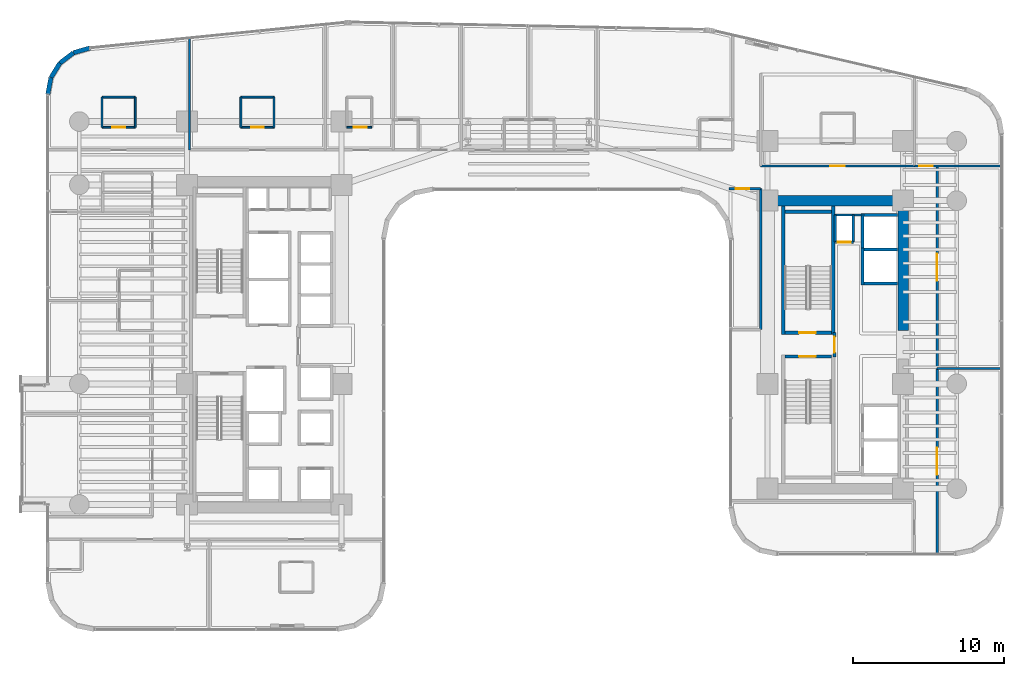
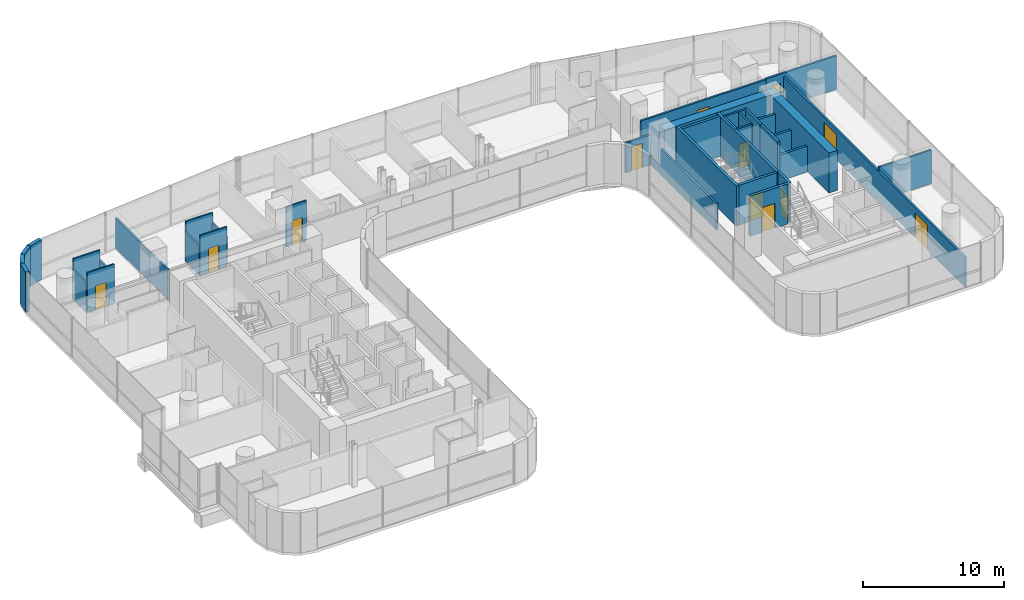
# One storey, part 33 of 40: 37 walls, 12 doors, 12 openings.
"""IFC4 building model written with IfcOpenShell, lengths in metres."""

from ifc_helpers import new_model, si_unit, direction, frame, frame_2d, origin, place, context, subcontext, project, spatial, rectangle, extrude, material, layer, layer_set, type_object, element, fill, save


model = new_model("IFC4")

# Units and contexts
model_context = context("Model", 3, precision=1e-05, world=origin(), true_north=direction((0.0, 1.0)))
body_context = subcontext(model_context, "Body", "Model", "MODEL_VIEW")
ifc_project = project(units=[si_unit("LENGTHUNIT", "METRE"), si_unit("AREAUNIT", "SQUARE_METRE"), si_unit("VOLUMEUNIT", "CUBIC_METRE"), si_unit("PLANEANGLEUNIT", "RADIAN"), si_unit("MASSUNIT", "GRAM", prefix="KILO")], contexts=[model_context])

# Site, building, storey
site_placement = place(None, origin())
site = spatial("IfcSite", under=ifc_project, at=site_placement, CompositionType="ELEMENT")
building_placement = place(site_placement, origin())
building = spatial("IfcBuilding", under=site, at=building_placement, Name="Valdorenza Pilgrim Sanctuary Tower", CompositionType="ELEMENT")
storey_placement = place(building_placement, frame((0.0, 0.0, 92.60009765625)))
storey = spatial("IfcBuildingStorey", under=building, at=storey_placement, Name="L23", CompositionType="ELEMENT", Elevation=92.60009765625)

# Wall, opening, door
ifc_material_1 = material(Name="Acoustic twin-stud gypsum partition", Category="gypsum")
ifc_layer_1 = layer(ifc_material_1, 0.159912109375, Name="Acoustic twin-stud gypsum partition")
ifc_layer_set_1 = layer_set([ifc_layer_1], Name="Acoustic twin-stud gypsum partition")
wall_type_1 = type_object("IfcWallType", Name="WAL-COR-160", PredefinedType="PARTITIONING", material=ifc_layer_set_1)
wall_1_placement = place(storey_placement, frame((20.35009765625, 6.800048828125, 0.0), z_axis=(0.0, 0.0, 1.0), x_axis=(1.0, 0.0, 0.0)))
wall_1 = element("IfcWall", 1, at=wall_1_placement, inside=storey, type_object=wall_type_1, Name="L23 Core B Riser South Wall", PredefinedType="PARTITIONING", context=body_context, shape_type="SweptSolid", body=[
    extrude(rectangle(XDim=1.199951171875, YDim=0.159912109375, at=frame_2d((0.60009765625, 0.0))), origin(), (0.0, 0.0, 1.0), 3.4599609375),
])
opening_1_placement = place(wall_1_placement, frame((0.175048828125, 0.0, 0.0)))
opening_1 = element("IfcOpeningElement", 2, at=opening_1_placement, cuts=wall_1, Name="Opening DR-RS1", PredefinedType="OPENING", context=body_context, shape_type="SweptSolid", body=[
    extrude(rectangle(XDim=0.85009765625, YDim=2.050048828125, at=frame_2d((0.425048828125, 1.02490234375))), frame((0.0, 0.0947265625, 0.0), z_axis=(0.0, -1.0, 0.0), x_axis=(1.0, 0.0, 0.0)), (0.0, 0.0, 1.0), 0.189697265625),
])
ifc_material_2 = material(Name="Painted galvanized steel", Category="steel")
door_type_1 = type_object("IfcDoorType", Name="DR-RSR-850", OperationType="NOTDEFINED", PredefinedType="DOOR", material=ifc_material_2)
door_1_placement = place(opening_1_placement, origin())
door_1 = element("IfcDoor", 3, at=door_1_placement, inside=storey, type_object=door_type_1, Name="L23 Core B Electrical Riser Door", OperationType="SINGLE_SWING_RIGHT", OverallHeight=2.050048828125, OverallWidth=0.85009765625, PredefinedType="DOOR", context=body_context, shape_type="SweptSolid", body=[
    extrude(rectangle(XDim=0.85009765625, YDim=2.050048828125, at=frame_2d((0.425048828125, 1.02490234375))), frame((0.0, 0.02490234375, 0.0), z_axis=(0.0, -1.0, 0.0), x_axis=(1.0, 0.0, 0.0)), (0.0, 0.0, 1.0), 0.050048828125),
])
fill(opening_1, door_1)

# Walls
for number, where, z_axis, x_axis, name in (
    (4, (21.550048828125, 6.800048828125, 0.0), (0.0, 0.0, 1.0), (0.0, 1.0, 0.0), "L23 Core B Riser East Wall"),
    (5, (20.35009765625, 6.800048828125, 0.0), (0.0, 0.0, 1.0), (0.0, 1.0, 0.0), "L23 Core B Riser West Wall"),
):
    element("IfcWall", number, at=place(storey_placement, frame(where, z_axis=z_axis, x_axis=x_axis)), inside=storey, type_object=wall_type_1, Name=name, PredefinedType="PARTITIONING", context=body_context, shape_type="SweptSolid", body=[
        extrude(rectangle(XDim=1.800048828125, YDim=0.159912109375, at=frame_2d((0.89990234375, 0.0))), origin(), (0.0, 0.0, 1.0), 3.4599609375),
    ])
wall_2_placement = place(storey_placement, frame((20.300048828125, 8.60009765625, 0.0), z_axis=(0.0, 0.0, 1.0), x_axis=(1.0, 0.0, 0.0)))
element("IfcWall", 6, at=wall_2_placement, inside=storey, type_object=wall_type_1, Name="L23 Core B Lift Hall North End Wall", PredefinedType="PARTITIONING", context=body_context, shape_type="SweptSolid", body=[
    extrude(rectangle(XDim=1.820068359375, YDim=0.159912109375, at=frame_2d((0.91015625, 0.0))), origin(), (0.0, 0.0, 1.0), 3.4599609375),
])

# Wall, opening, door
wall_3_placement = place(storey_placement, frame((15.39990234375, 11.85009765625, 0.0), z_axis=(0.0, 0.0, 1.0), x_axis=(1.0, 0.0, 0.0)))
wall_3 = element("IfcWall", 7, at=wall_3_placement, inside=storey, type_object=wall_type_1, Name="L23 Wing B North Corridor Wall", PredefinedType="PARTITIONING", context=body_context, shape_type="SweptSolid", body=[
    extrude(rectangle(XDim=10.2001953125, YDim=0.159912109375, at=frame_2d((5.10009765625, 0.0))), origin(), (0.0, 0.0, 1.0), 2.833984375),
])
opening_2_placement = place(wall_3_placement, frame((4.625, 0.0, 0.0)))
opening_2 = element("IfcOpeningElement", 8, at=opening_2_placement, cuts=wall_3, Name="Opening DR-UN1", PredefinedType="OPENING", context=body_context, shape_type="SweptSolid", body=[
    extrude(rectangle(XDim=0.949951171875, YDim=2.14990234375, at=frame_2d((0.47509765625, 1.074951171875))), frame((0.0, 0.0947265625, 0.0), z_axis=(0.0, -1.0, 0.0), x_axis=(1.0, 0.0, 0.0)), (0.0, 0.0, 1.0), 0.189697265625),
])
ifc_material_3 = material(Name="Solid-core European oak timber", Category="wood")
door_type_2 = type_object("IfcDoorType", Name="DR-UNIT-950", OperationType="NOTDEFINED", PredefinedType="DOOR", material=ifc_material_3)
door_2_placement = place(opening_2_placement, frame((0.949951171875, 0.0, 0.0), z_axis=(0.0, 0.0, 1.0), x_axis=(-1.0, 0.0, 0.0)))
door_2 = element("IfcDoor", 9, at=door_2_placement, inside=storey, type_object=door_type_2, Name="L23 East North Guest Room L23-EN1 Entrance Door", OperationType="SINGLE_SWING_LEFT", OverallHeight=2.14990234375, OverallWidth=0.949951171875, PredefinedType="DOOR", context=body_context, shape_type="SweptSolid", body=[
    extrude(rectangle(XDim=0.949951171875, YDim=2.14990234375, at=frame_2d((0.47509765625, 1.074951171875))), frame((0.0, 0.02490234375, 0.0), z_axis=(0.0, -1.0, 0.0), x_axis=(1.0, 0.0, 0.0)), (0.0, 0.0, 1.0), 0.050048828125),
])
fill(opening_2, door_2)

# Wall, openings, doors
wall_4_placement = place(storey_placement, frame((27.10009765625, -13.889892578125, 0.0), z_axis=(0.0, 0.0, 1.0), x_axis=(0.0, 1.0, 0.0)))
wall_4 = element("IfcWall", 10, at=wall_4_placement, inside=storey, type_object=wall_type_1, Name="L23 Wing B East Corridor Wall", PredefinedType="PARTITIONING", context=body_context, shape_type="SweptSolid", body=[
    extrude(rectangle(XDim=25.739990234375, YDim=0.159912109375, at=frame_2d((12.8701171875, 0.0))), origin(), (0.0, 0.0, 1.0), 2.5830078125),
])
opening_3_placement = place(wall_4_placement, frame((5.258056640625, 0.0, 0.0)))
opening_3 = element("IfcOpeningElement", 11, at=opening_3_placement, cuts=wall_4, Name="Opening DR-HL1", PredefinedType="OPENING", context=body_context, shape_type="SweptSolid", body=[
    extrude(rectangle(XDim=1.800048828125, YDim=2.14990234375, at=frame_2d((0.89990234375, 1.074951171875))), frame((0.0, 0.0947265625, 0.0), z_axis=(0.0, -1.0, 0.0), x_axis=(1.0, 0.0, 0.0)), (0.0, 0.0, 1.0), 0.189697265625),
])
opening_4_placement = place(wall_4_placement, frame((18.1279296875, 0.0, 0.0)))
opening_4 = element("IfcOpeningElement", 12, at=opening_4_placement, cuts=wall_4, Name="Opening DR-HL1", PredefinedType="OPENING", context=body_context, shape_type="SweptSolid", body=[
    extrude(rectangle(XDim=1.800048828125, YDim=2.14990234375, at=frame_2d((0.89990234375, 1.074951171875))), frame((0.0, 0.0947265625, 0.0), z_axis=(0.0, -1.0, 0.0), x_axis=(1.0, 0.0, 0.0)), (0.0, 0.0, 1.0), 0.189697265625),
])
ifc_material_4 = material(Name="Acoustic oak and vision-glass double door", Category="glass")
door_type_3 = type_object("IfcDoorType", Name="DR-HALL-1800", OperationType="NOTDEFINED", PredefinedType="DOOR", material=ifc_material_4)
door_3_placement = place(opening_3_placement, frame((1.800048828125, 0.0, 0.0), z_axis=(0.0, 0.0, 1.0), x_axis=(-1.0, 0.0, 0.0)))
door_3 = element("IfcDoor", 13, at=door_3_placement, inside=storey, type_object=door_type_3, Name="L23 Theological Seminar Classroom L23-EB1 Door", OperationType="DOUBLE_DOOR_SINGLE_SWING", OverallHeight=2.14990234375, OverallWidth=1.800048828125, PredefinedType="DOOR", context=body_context, shape_type="SweptSolid", body=[
    extrude(rectangle(XDim=1.800048828125, YDim=2.14990234375, at=frame_2d((0.89990234375, 1.074951171875))), frame((0.0, 0.02490234375, 0.0), z_axis=(0.0, -1.0, 0.0), x_axis=(1.0, 0.0, 0.0)), (0.0, 0.0, 1.0), 0.050048828125),
])
fill(opening_3, door_3)
door_4_placement = place(opening_4_placement, origin())
door_4 = element("IfcDoor", 14, at=door_4_placement, inside=storey, type_object=door_type_3, Name="L23 Theological Seminar Classroom L23-EB2 Door", OperationType="DOUBLE_DOOR_SINGLE_SWING", OverallHeight=2.14990234375, OverallWidth=1.800048828125, PredefinedType="DOOR", context=body_context, shape_type="SweptSolid", body=[
    extrude(rectangle(XDim=1.800048828125, YDim=2.14990234375, at=frame_2d((0.89990234375, 1.074951171875))), frame((0.0, 0.02490234375, 0.0), z_axis=(0.0, -1.0, 0.0), x_axis=(1.0, 0.0, 0.0)), (0.0, 0.0, 1.0), 0.050048828125),
])
fill(opening_4, door_4)

# Wall, opening, door
wall_5_placement = place(storey_placement, frame((25.60009765625, 11.85009765625, 0.0), z_axis=(0.0, 0.0, 1.0), x_axis=(1.0, 0.0, 0.0)))
wall_5 = element("IfcWall", 15, at=wall_5_placement, inside=storey, type_object=wall_type_1, Name="L23 East Wing NE Corner South Wall", PredefinedType="PARTITIONING", context=body_context, shape_type="SweptSolid", body=[
    extrude(rectangle(XDim=5.789794921875, YDim=0.159912109375, at=frame_2d((2.89501953125, 0.0))), origin(), (0.0, 0.0, 1.0), 2.89599609375),
])
opening_5_placement = place(wall_5_placement, frame((0.300048828125, 0.0, 0.0)))
opening_5 = element("IfcOpeningElement", 16, at=opening_5_placement, cuts=wall_5, Name="Opening DR-RM1", PredefinedType="OPENING", context=body_context, shape_type="SweptSolid", body=[
    extrude(rectangle(XDim=0.89990234375, YDim=2.10009765625, at=frame_2d((0.449951171875, 1.050048828125))), frame((0.0, 0.0947265625, 0.0), z_axis=(0.0, -1.0, 0.0), x_axis=(1.0, 0.0, 0.0)), (0.0, 0.0, 1.0), 0.189697265625),
])
door_type_4 = type_object("IfcDoorType", Name="DR-ROOM-900", OperationType="NOTDEFINED", PredefinedType="DOOR", material=ifc_material_3)
door_5_placement = place(opening_5_placement, origin())
door_5 = element("IfcDoor", 17, at=door_5_placement, inside=storey, type_object=door_type_4, Name="L23 East North Alcove Office L23 Door", OperationType="SINGLE_SWING_RIGHT", OverallHeight=2.10009765625, OverallWidth=0.89990234375, PredefinedType="DOOR", context=body_context, shape_type="SweptSolid", body=[
    extrude(rectangle(XDim=0.89990234375, YDim=2.10009765625, at=frame_2d((0.449951171875, 1.050048828125))), frame((0.0, 0.02490234375, 0.0), z_axis=(0.0, -1.0, 0.0), x_axis=(1.0, 0.0, 0.0)), (0.0, 0.0, 1.0), 0.050048828125),
])
fill(opening_5, door_5)

wall_6_placement = place(storey_placement, frame((13.300048828125, 10.35009765625, 0.0), z_axis=(0.0, 0.0, 1.0), x_axis=(1.0, 0.0, 0.0)))
wall_6 = element("IfcWall", 18, at=wall_6_placement, inside=storey, type_object=wall_type_1, Name="L23 Courtyard Overlook North Wall", PredefinedType="PARTITIONING", context=body_context, shape_type="SweptSolid", body=[
    extrude(rectangle(XDim=2.099853515625, YDim=0.159912109375, at=frame_2d((1.0498046875, 0.0))), origin(), (0.0, 0.0, 1.0), 2.5830078125),
])
opening_6_placement = place(wall_6_placement, frame((0.449951171875, 0.0, 0.0)))
opening_6 = element("IfcOpeningElement", 19, at=opening_6_placement, cuts=wall_6, Name="Opening DR-RM1", PredefinedType="OPENING", context=body_context, shape_type="SweptSolid", body=[
    extrude(rectangle(XDim=0.89990234375, YDim=2.10009765625, at=frame_2d((0.449951171875, 1.050048828125))), frame((0.0, 0.0947265625, 0.0), z_axis=(0.0, -1.0, 0.0), x_axis=(1.0, 0.0, 0.0)), (0.0, 0.0, 1.0), 0.189697265625),
])
door_6_placement = place(opening_6_placement, origin())
door_6 = element("IfcDoor", 20, at=door_6_placement, inside=storey, type_object=door_type_4, Name="L23 Courtyard Overlook Salon Door", OperationType="SINGLE_SWING_LEFT", OverallHeight=2.10009765625, OverallWidth=0.89990234375, PredefinedType="DOOR", context=body_context, shape_type="SweptSolid", body=[
    extrude(rectangle(XDim=0.89990234375, YDim=2.10009765625, at=frame_2d((0.449951171875, 1.050048828125))), frame((0.0, 0.02490234375, 0.0), z_axis=(0.0, -1.0, 0.0), x_axis=(1.0, 0.0, 0.0)), (0.0, 0.0, 1.0), 0.050048828125),
])
fill(opening_6, door_6)

# Walls
wall_7_placement = place(storey_placement, frame((15.39990234375, 1.0, 0.0), z_axis=(0.0, 0.0, 1.0), x_axis=(0.0, 1.0, 0.0)))
element("IfcWall", 21, at=wall_7_placement, inside=storey, type_object=wall_type_1, Name="L23 Courtyard Overlook East Wall", PredefinedType="PARTITIONING", context=body_context, shape_type="SweptSolid", body=[
    extrude(rectangle(XDim=9.35009765625, YDim=0.159912109375, at=frame_2d((4.675048828125, 0.0))), origin(), (0.0, 0.0, 1.0), 2.244873046875),
])
ifc_material_5 = material(Name="Concrete C60/75", Category="concrete")
ifc_layer_2 = layer(ifc_material_5, 0.699951171875, Name="Concrete C60/75")
ifc_layer_set_2 = layer_set([ifc_layer_2], Name="Concrete C60/75")
wall_type_2 = type_object("IfcWallType", Name="WAL-COR-700", PredefinedType="SHEAR", material=ifc_layer_set_2)
wall_8_placement = place(storey_placement, frame((24.85009765625, 0.949951171875, 0.0), z_axis=(0.0, 0.0, 1.0), x_axis=(0.0, 1.0, 0.0)))
element("IfcWall", 22, at=wall_8_placement, inside=storey, type_object=wall_type_2, Name="L23 Split Core B Shear Wall EN", PredefinedType="SHEAR", context=body_context, shape_type="SweptSolid", body=[
    extrude(rectangle(XDim=8.949951171875, YDim=0.699951171875, at=frame_2d((4.47509765625, 0.0))), origin(), (0.0, 0.0, 1.0), 3.4599609375),
])
wall_9_placement = place(storey_placement, frame((15.85009765625, 9.550048828125, 0.0), z_axis=(0.0, 0.0, 1.0), x_axis=(1.0, 0.0, 0.0)))
element("IfcWall", 23, at=wall_9_placement, inside=storey, type_object=wall_type_2, Name="L23 Split Core B Shear Wall N", PredefinedType="SHEAR", context=body_context, shape_type="SweptSolid", body=[
    extrude(rectangle(XDim=9.0, YDim=0.699951171875, at=frame_2d((4.5, 0.0))), origin(), (0.0, 0.0, 1.0), 3.4599609375),
])
ifc_material_6 = material(Name="Honed travertine limestone", Category="masonry")
ifc_layer_3 = layer(ifc_material_6, 0.300048828125, Name="Honed travertine limestone")
ifc_layer_set_3 = layer_set([ifc_layer_3], Name="Honed travertine limestone")
wall_type_3 = type_object("IfcWallType", Name="WAL-EXT-300", PredefinedType="SOLIDWALL", material=ifc_layer_set_3)
wall_10_placement = place(storey_placement, frame((-31.889892578125, 16.593994140625, 0.0), z_axis=(0.0, 0.0, 1.0), x_axis=(0.182748995683, 0.9831596028, 0.0)))
element("IfcWall", 24, at=wall_10_placement, inside=storey, type_object=wall_type_3, Name="L23 Rounded Wind-Corner Stone Pier 2", PredefinedType="SOLIDWALL", context=body_context, shape_type="SweptSolid", body=[
    extrude(rectangle(XDim=1.1396484375, YDim=0.300048828125, at=frame_2d((0.56982421875, 0.0))), origin(), (0.0, 0.0, 1.0), 3.4599609375),
])
wall_11_placement = place(storey_placement, frame((-31.681640625, 17.71435546875, 0.0), z_axis=(0.0, 0.0, 1.0), x_axis=(0.524157723014, 0.8516212077, 0.0)))
element("IfcWall", 25, at=wall_11_placement, inside=storey, type_object=wall_type_3, Name="L23 Rounded Wind-Corner Stone Pier 3", PredefinedType="SOLIDWALL", context=body_context, shape_type="SweptSolid", body=[
    extrude(rectangle(XDim=1.12939453125, YDim=0.300048828125, at=frame_2d((0.564697265625, 0.0))), origin(), (0.0, 0.0, 1.0), 3.4599609375),
])
wall_12_placement = place(storey_placement, frame((-31.089599609375, 18.67626953125, 0.0), z_axis=(0.0, 0.0, 1.0), x_axis=(0.795253002434, 0.606277710393, 0.0)))
element("IfcWall", 26, at=wall_12_placement, inside=storey, type_object=wall_type_3, Name="L23 Rounded Wind-Corner Stone Pier 4", PredefinedType="SOLIDWALL", context=body_context, shape_type="SweptSolid", body=[
    extrude(rectangle(XDim=1.129150390625, YDim=0.300048828125, at=frame_2d((0.564453125, 0.0))), origin(), (0.0, 0.0, 1.0), 3.4599609375),
])
wall_13_placement = place(storey_placement, frame((-30.191650390625, 19.36083984375, 0.0), z_axis=(0.0, 0.0, 1.0), x_axis=(0.960071941549, 0.279753225271, 0.0)))
element("IfcWall", 27, at=wall_13_placement, inside=storey, type_object=wall_type_3, Name="L23 Rounded Wind-Corner Stone Pier 5", PredefinedType="SOLIDWALL", context=body_context, shape_type="SweptSolid", body=[
    extrude(rectangle(XDim=1.1396484375, YDim=0.300048828125, at=frame_2d((0.56982421875, 0.0))), origin(), (0.0, 0.0, 1.0), 3.4599609375),
])

# Wall, opening, door
ifc_material_7 = material(Name="Gypsum shaftwall partition", Category="gypsum")
ifc_layer_4 = layer(ifc_material_7, 0.199951171875, Name="Gypsum shaftwall partition")
ifc_layer_set_4 = layer_set([ifc_layer_4], Name="Gypsum shaftwall partition")
wall_type_4 = type_object("IfcWallType", Name="WAL-FFL-200", PredefinedType="PARTITIONING", material=ifc_layer_set_4)
wall_14_placement = place(storey_placement, frame((20.300048828125, -0.820068359375, 0.0), z_axis=(0.0, 0.0, 1.0), x_axis=(0.0, 1.0, 0.0)))
wall_14 = element("IfcWall", 28, at=wall_14_placement, inside=storey, type_object=wall_type_4, Name="L23 Core B Firefighting Lobby East Wall", PredefinedType="PARTITIONING", context=body_context, shape_type="SweptSolid", body=[
    extrude(rectangle(XDim=1.64013671875, YDim=0.199951171875, at=frame_2d((0.820068359375, 0.0))), origin(), (0.0, 0.0, 1.0), 3.4599609375),
])
opening_7_placement = place(wall_14_placement, frame((0.294921875, 0.0, 0.0)))
opening_7 = element("IfcOpeningElement", 29, at=opening_7_placement, cuts=wall_14, Name="Opening DR-FL1", PredefinedType="OPENING", context=body_context, shape_type="SweptSolid", body=[
    extrude(rectangle(XDim=1.050048828125, YDim=2.14990234375, at=frame_2d((0.52490234375, 1.074951171875))), frame((0.0, 0.11474609375, 0.0), z_axis=(0.0, -1.0, 0.0), x_axis=(1.0, 0.0, 0.0)), (0.0, 0.0, 1.0), 0.229736328125),
])
door_type_5 = type_object("IfcDoorType", Name="DR-FFL-1050", OperationType="NOTDEFINED", PredefinedType="DOOR", material=ifc_material_2)
door_7_placement = place(opening_7_placement, frame((1.050048828125, 0.0, 0.0), z_axis=(0.0, 0.0, 1.0), x_axis=(-1.0, 0.0, 0.0)))
door_7 = element("IfcDoor", 30, at=door_7_placement, inside=storey, type_object=door_type_5, Name="L23 Core B Firefighting Lobby Door", OperationType="SINGLE_SWING_LEFT", OverallHeight=2.14990234375, OverallWidth=1.050048828125, PredefinedType="DOOR", context=body_context, shape_type="SweptSolid", body=[
    extrude(rectangle(XDim=1.050048828125, YDim=2.14990234375, at=frame_2d((0.52490234375, 1.074951171875))), frame((0.0, 0.02490234375, 0.0), z_axis=(0.0, -1.0, 0.0), x_axis=(1.0, 0.0, 0.0)), (0.0, 0.0, 1.0), 0.050048828125),
])
fill(opening_7, door_7)

# Walls
ifc_material_8 = material(Name="Moisture-resistant gypsum partition", Category="gypsum")
ifc_layer_5 = layer(ifc_material_8, 0.1201171875, Name="Moisture-resistant gypsum partition")
ifc_layer_set_5 = layer_set([ifc_layer_5], Name="Moisture-resistant gypsum partition")
wall_type_5 = type_object("IfcWallType", Name="WAL-INT-120", PredefinedType="PARTITIONING", material=ifc_layer_set_5)
for number, where, z_axis, x_axis, name in (
    (31, (-28.2900390625, 14.419921875, 0.0), (0.0, 0.0, 1.0), (0.0, 1.0, 0.0), "L23 North Guest Room L23-N1 En-suite West Wall"),
    (32, (-26.090087890625, 14.419921875, 0.0), (0.0, 0.0, 1.0), (0.0, 1.0, 0.0), "L23 North Guest Room L23-N1 En-suite East Wall"),
):
    element("IfcWall", number, at=place(storey_placement, frame(where, z_axis=z_axis, x_axis=x_axis)), inside=storey, type_object=wall_type_5, Name=name, PredefinedType="PARTITIONING", context=body_context, shape_type="SweptSolid", body=[
        extrude(rectangle(XDim=2.0, YDim=0.1201171875, at=frame_2d((1.0, 0.0))), origin(), (0.0, 0.0, 1.0), 2.5830078125),
    ])
wall_15_placement = place(storey_placement, frame((-28.2900390625, 16.419921875, 0.0), z_axis=(0.0, 0.0, 1.0), x_axis=(1.0, 0.0, 0.0)))
element("IfcWall", 33, at=wall_15_placement, inside=storey, type_object=wall_type_5, Name="L23 North Guest Room L23-N1 En-suite Back Wall", PredefinedType="PARTITIONING", context=body_context, shape_type="SweptSolid", body=[
    extrude(rectangle(XDim=2.199951171875, YDim=0.1201171875, at=frame_2d((1.10009765625, 0.0))), origin(), (0.0, 0.0, 1.0), 3.4599609375),
])

# Wall, opening, door
wall_16_placement = place(storey_placement, frame((-28.2900390625, 14.419921875, 0.0), z_axis=(0.0, 0.0, 1.0), x_axis=(1.0, 0.0, 0.0)))
wall_16 = element("IfcWall", 34, at=wall_16_placement, inside=storey, type_object=wall_type_5, Name="L23 North Guest Room L23-N1 En-suite Door Wall", PredefinedType="PARTITIONING", context=body_context, shape_type="SweptSolid", body=[
    extrude(rectangle(XDim=2.199951171875, YDim=0.1201171875, at=frame_2d((1.10009765625, 0.0))), origin(), (0.0, 0.0, 1.0), 3.4599609375),
])
opening_8_placement = place(wall_16_placement, frame((0.675048828125, 0.0, 0.0)))
opening_8 = element("IfcOpeningElement", 35, at=opening_8_placement, cuts=wall_16, Name="Opening DR-WC1", PredefinedType="OPENING", context=body_context, shape_type="SweptSolid", body=[
    extrude(rectangle(XDim=0.85009765625, YDim=2.10009765625, at=frame_2d((0.425048828125, 1.050048828125))), frame((0.0, 0.074951171875, 0.0), z_axis=(0.0, -1.0, 0.0), x_axis=(1.0, 0.0, 0.0)), (0.0, 0.0, 1.0), 0.14990234375),
])
ifc_material_9 = material(Name="Moisture-resistant lacquered timber", Category="wood")
door_type_6 = type_object("IfcDoorType", Name="DR-BATH-850", OperationType="NOTDEFINED", PredefinedType="DOOR", material=ifc_material_9)
door_8_placement = place(opening_8_placement, origin())
door_8 = element("IfcDoor", 36, at=door_8_placement, inside=storey, type_object=door_type_6, Name="L23 North Guest Room L23-N1 En-suite Bathroom Door", OperationType="SINGLE_SWING_RIGHT", OverallHeight=2.10009765625, OverallWidth=0.85009765625, PredefinedType="DOOR", context=body_context, shape_type="SweptSolid", body=[
    extrude(rectangle(XDim=0.85009765625, YDim=2.10009765625, at=frame_2d((0.425048828125, 1.050048828125))), frame((0.0, 0.02490234375, 0.0), z_axis=(0.0, -1.0, 0.0), x_axis=(1.0, 0.0, 0.0)), (0.0, 0.0, 1.0), 0.050048828125),
])
fill(opening_8, door_8)

# Walls
for number, where, z_axis, x_axis, name in (
    (37, (-19.0849609375, 14.419921875, 0.0), (0.0, 0.0, 1.0), (0.0, 1.0, 0.0), "L23 North Guest Room L23-N2 En-suite West Wall"),
    (38, (-16.885009765625, 14.419921875, 0.0), (0.0, 0.0, 1.0), (0.0, 1.0, 0.0), "L23 North Guest Room L23-N2 En-suite East Wall"),
):
    element("IfcWall", number, at=place(storey_placement, frame(where, z_axis=z_axis, x_axis=x_axis)), inside=storey, type_object=wall_type_5, Name=name, PredefinedType="PARTITIONING", context=body_context, shape_type="SweptSolid", body=[
        extrude(rectangle(XDim=2.0, YDim=0.1201171875, at=frame_2d((1.0, 0.0))), origin(), (0.0, 0.0, 1.0), 2.5830078125),
    ])
wall_17_placement = place(storey_placement, frame((-19.0849609375, 16.419921875, 0.0), z_axis=(0.0, 0.0, 1.0), x_axis=(1.0, 0.0, 0.0)))
element("IfcWall", 39, at=wall_17_placement, inside=storey, type_object=wall_type_5, Name="L23 North Guest Room L23-N2 En-suite Back Wall", PredefinedType="PARTITIONING", context=body_context, shape_type="SweptSolid", body=[
    extrude(rectangle(XDim=2.199951171875, YDim=0.1201171875, at=frame_2d((1.10009765625, 0.0))), origin(), (0.0, 0.0, 1.0), 3.4599609375),
])

# Wall, opening, door
wall_18_placement = place(storey_placement, frame((-19.0849609375, 14.419921875, 0.0), z_axis=(0.0, 0.0, 1.0), x_axis=(1.0, 0.0, 0.0)))
wall_18 = element("IfcWall", 40, at=wall_18_placement, inside=storey, type_object=wall_type_5, Name="L23 North Guest Room L23-N2 En-suite Door Wall", PredefinedType="PARTITIONING", context=body_context, shape_type="SweptSolid", body=[
    extrude(rectangle(XDim=2.199951171875, YDim=0.1201171875, at=frame_2d((1.10009765625, 0.0))), origin(), (0.0, 0.0, 1.0), 3.4599609375),
])
opening_9_placement = place(wall_18_placement, frame((0.675048828125, 0.0, 0.0)))
opening_9 = element("IfcOpeningElement", 41, at=opening_9_placement, cuts=wall_18, Name="Opening DR-WC1", PredefinedType="OPENING", context=body_context, shape_type="SweptSolid", body=[
    extrude(rectangle(XDim=0.85009765625, YDim=2.10009765625, at=frame_2d((0.425048828125, 1.050048828125))), frame((0.0, 0.074951171875, 0.0), z_axis=(0.0, -1.0, 0.0), x_axis=(1.0, 0.0, 0.0)), (0.0, 0.0, 1.0), 0.14990234375),
])
door_9_placement = place(opening_9_placement, origin())
door_9 = element("IfcDoor", 42, at=door_9_placement, inside=storey, type_object=door_type_6, Name="L23 North Guest Room L23-N2 En-suite Bathroom Door", OperationType="SINGLE_SWING_RIGHT", OverallHeight=2.10009765625, OverallWidth=0.85009765625, PredefinedType="DOOR", context=body_context, shape_type="SweptSolid", body=[
    extrude(rectangle(XDim=0.85009765625, YDim=2.10009765625, at=frame_2d((0.425048828125, 1.050048828125))), frame((0.0, 0.02490234375, 0.0), z_axis=(0.0, -1.0, 0.0), x_axis=(1.0, 0.0, 0.0)), (0.0, 0.0, 1.0), 0.050048828125),
])
fill(opening_9, door_9)

wall_19_placement = place(storey_placement, frame((-12.052490234375, 14.419921875, 0.0), z_axis=(0.0, 0.0, 1.0), x_axis=(1.0, 0.0, 0.0)))
wall_19 = element("IfcWall", 43, at=wall_19_placement, inside=storey, type_object=wall_type_5, Name="L23 North Guest Room L23-N3A En-suite Door Wall", PredefinedType="PARTITIONING", context=body_context, shape_type="SweptSolid", body=[
    extrude(rectangle(XDim=1.64990234375, YDim=0.1201171875, at=frame_2d((0.824951171875, 0.0))), origin(), (0.0, 0.0, 1.0), 3.4599609375),
])
opening_10_placement = place(wall_19_placement, frame((0.4599609375, 0.0, 0.0)))
opening_10 = element("IfcOpeningElement", 44, at=opening_10_placement, cuts=wall_19, Name="Opening DR-WC1", PredefinedType="OPENING", context=body_context, shape_type="SweptSolid", body=[
    extrude(rectangle(XDim=0.85009765625, YDim=2.10009765625, at=frame_2d((0.425048828125, 1.050048828125))), frame((0.0, 0.074951171875, 0.0), z_axis=(0.0, -1.0, 0.0), x_axis=(1.0, 0.0, 0.0)), (0.0, 0.0, 1.0), 0.14990234375),
])
door_10_placement = place(opening_10_placement, origin())
door_10 = element("IfcDoor", 45, at=door_10_placement, inside=storey, type_object=door_type_6, Name="L23 North Guest Room L23-N3A En-suite Bathroom Door", OperationType="SINGLE_SWING_RIGHT", OverallHeight=2.10009765625, OverallWidth=0.85009765625, PredefinedType="DOOR", context=body_context, shape_type="SweptSolid", body=[
    extrude(rectangle(XDim=0.85009765625, YDim=2.10009765625, at=frame_2d((0.425048828125, 1.050048828125))), frame((0.0, 0.02490234375, 0.0), z_axis=(0.0, -1.0, 0.0), x_axis=(1.0, 0.0, 0.0)), (0.0, 0.0, 1.0), 0.050048828125),
])
fill(opening_10, door_10)

# Walls
ifc_material_10 = material(Name="Autoclaved aerated concrete blockwork", Category="masonry")
ifc_layer_6 = layer(ifc_material_10, 0.199951171875, Name="Autoclaved aerated concrete blockwork")
ifc_layer_set_6 = layer_set([ifc_layer_6], Name="Autoclaved aerated concrete blockwork")
wall_type_6 = type_object("IfcWallType", Name="WAL-SHF-200", PredefinedType="MOVABLE", material=ifc_layer_set_6)
wall_20_placement = place(storey_placement, frame((22.14990234375, 3.949951171875, 0.0), z_axis=(0.0, 0.0, 1.0), x_axis=(0.0, 1.0, 0.0)))
element("IfcWall", 46, at=wall_20_placement, inside=storey, type_object=wall_type_6, Name="L23 Lift PL-07 Hoistway Wall West", PredefinedType="MOVABLE", context=body_context, shape_type="SweptSolid", body=[
    extrude(rectangle(XDim=2.47509765625, YDim=0.199951171875, at=frame_2d((1.237548828125, 0.0))), origin(), (0.0, 0.0, 1.0), 3.4599609375),
])
for number, where, z_axis, x_axis, name in (
    (47, (22.25, 4.050048828125, 0.0), (0.0, 0.0, 1.0), (1.0, 0.0, 0.0), "L23 Lift PL-07 Hoistway Wall South"),
    (48, (22.25, 6.324951171875, 0.0), (0.0, 0.0, 1.0), (1.0, 0.0, 0.0), "L23 Lift PL-07 Hoistway Wall North"),
):
    element("IfcWall", number, at=place(storey_placement, frame(where, z_axis=z_axis, x_axis=x_axis)), inside=storey, type_object=wall_type_6, Name=name, PredefinedType="MOVABLE", context=body_context, shape_type="SweptSolid", body=[
        extrude(rectangle(XDim=2.22998046875, YDim=0.199951171875, at=frame_2d((1.114990234375, 0.0))), origin(), (0.0, 0.0, 1.0), 2.244873046875),
    ])
wall_21_placement = place(storey_placement, frame((22.14990234375, 6.22509765625, 0.0), z_axis=(0.0, 0.0, 1.0), x_axis=(0.0, 1.0, 0.0)))
element("IfcWall", 49, at=wall_21_placement, inside=storey, type_object=wall_type_6, Name="L23 Lift PL-08 Hoistway Wall West", PredefinedType="MOVABLE", context=body_context, shape_type="SweptSolid", body=[
    extrude(rectangle(XDim=2.474853515625, YDim=0.199951171875, at=frame_2d((1.2373046875, 0.0))), origin(), (0.0, 0.0, 1.0), 3.4599609375),
])
wall_22_placement = place(storey_placement, frame((22.25, 8.60009765625, 0.0), z_axis=(0.0, 0.0, 1.0), x_axis=(1.0, 0.0, 0.0)))
element("IfcWall", 50, at=wall_22_placement, inside=storey, type_object=wall_type_6, Name="L23 Lift PL-08 Hoistway Wall North", PredefinedType="MOVABLE", context=body_context, shape_type="SweptSolid", body=[
    extrude(rectangle(XDim=2.22998046875, YDim=0.199951171875, at=frame_2d((1.114990234375, 0.0))), origin(), (0.0, 0.0, 1.0), 2.244873046875),
])
ifc_material_11 = material(Name="Concrete C40/50", Category="concrete")
ifc_layer_7 = layer(ifc_material_11, 0.219970703125, Name="Concrete C40/50")
ifc_layer_set_7 = layer_set([ifc_layer_7], Name="Concrete C40/50")
wall_type_7 = type_object("IfcWallType", Name="WAL-STR-SHF-220", PredefinedType="SHEAR", material=ifc_layer_set_7)
for number, where, z_axis, x_axis, name in (
    (51, (16.889892578125, 0.679931640625, 0.0), (0.0, 0.0, 1.0), (0.0, 1.0, 0.0), "L23 ST-B1 Structural Stairwell Wall W"),
    (52, (20.219970703125, 0.679931640625, 0.0), (0.0, 0.0, 1.0), (0.0, 1.0, 0.0), "L23 ST-B1 Structural Stairwell Wall E"),
):
    element("IfcWall", number, at=place(storey_placement, frame(where, z_axis=z_axis, x_axis=x_axis)), inside=storey, type_object=wall_type_7, Name=name, PredefinedType="SHEAR", context=body_context, shape_type="SweptSolid", body=[
        extrude(rectangle(XDim=8.52001953125, YDim=0.219970703125, at=frame_2d((4.260009765625, 0.0))), origin(), (0.0, 0.0, 1.0), 3.4599609375),
    ])

# Wall, opening, door
wall_23_placement = place(storey_placement, frame((17.0, 0.7900390625, 0.0), z_axis=(0.0, 0.0, 1.0), x_axis=(1.0, 0.0, 0.0)))
wall_23 = element("IfcWall", 53, at=wall_23_placement, inside=storey, type_object=wall_type_7, Name="L23 ST-B1 Structural Stairwell Wall S", PredefinedType="SHEAR", context=body_context, shape_type="SweptSolid", body=[
    extrude(rectangle(XDim=3.110107421875, YDim=0.219970703125, at=frame_2d((1.55517578125, 0.0))), origin(), (0.0, 0.0, 1.0), 3.4599609375),
])
opening_11_placement = place(wall_23_placement, frame((0.949951171875, 0.0, 0.0)))
opening_11 = element("IfcOpeningElement", 54, at=opening_11_placement, cuts=wall_23, Name="Opening DR-ST1", PredefinedType="OPENING", context=body_context, shape_type="SweptSolid", body=[
    extrude(rectangle(XDim=1.10009765625, YDim=2.14990234375, at=frame_2d((0.550048828125, 1.074951171875))), frame((0.0, 0.125, 0.0), z_axis=(0.0, -1.0, 0.0), x_axis=(1.0, 0.0, 0.0)), (0.0, 0.0, 1.0), 0.249755859375),
])
door_type_7 = type_object("IfcDoorType", Name="DR-STAIR-1100", OperationType="NOTDEFINED", PredefinedType="DOOR", material=ifc_material_2)
door_11_placement = place(opening_11_placement, origin())
door_11 = element("IfcDoor", 55, at=door_11_placement, inside=storey, type_object=door_type_7, Name="L23 Exit Stair ST-B1 Door", OperationType="SINGLE_SWING_RIGHT", OverallHeight=2.14990234375, OverallWidth=1.10009765625, PredefinedType="DOOR", context=body_context, shape_type="SweptSolid", body=[
    extrude(rectangle(XDim=1.10009765625, YDim=2.14990234375, at=frame_2d((0.550048828125, 1.074951171875))), frame((0.0, 0.02490234375, 0.0), z_axis=(0.0, -1.0, 0.0), x_axis=(1.0, 0.0, 0.0)), (0.0, 0.0, 1.0), 0.050048828125),
])
fill(opening_11, door_11)

# Wall
wall_24_placement = place(storey_placement, frame((17.0, 8.81005859375, 0.0), z_axis=(0.0, 0.0, 1.0), x_axis=(1.0, 0.0, 0.0)))
element("IfcWall", 56, at=wall_24_placement, inside=storey, type_object=wall_type_7, Name="L23 ST-B1 Structural Stairwell Wall N", PredefinedType="SHEAR", context=body_context, shape_type="SweptSolid", body=[
    extrude(rectangle(XDim=3.110107421875, YDim=0.219970703125, at=frame_2d((1.55517578125, 0.0))), origin(), (0.0, 0.0, 1.0), 3.4599609375),
])

# Wall, opening, door
wall_25_placement = place(storey_placement, frame((17.0, -0.7900390625, 0.0), z_axis=(0.0, 0.0, 1.0), x_axis=(1.0, 0.0, 0.0)))
wall_25 = element("IfcWall", 57, at=wall_25_placement, inside=storey, type_object=wall_type_7, Name="L23 ST-B2 Structural Stairwell Wall N", PredefinedType="SHEAR", context=body_context, shape_type="SweptSolid", body=[
    extrude(rectangle(XDim=3.110107421875, YDim=0.219970703125, at=frame_2d((1.55517578125, 0.0))), origin(), (0.0, 0.0, 1.0), 3.4599609375),
])
opening_12_placement = place(wall_25_placement, frame((0.949951171875, 0.0, 0.0)))
opening_12 = element("IfcOpeningElement", 58, at=opening_12_placement, cuts=wall_25, Name="Opening DR-ST1", PredefinedType="OPENING", context=body_context, shape_type="SweptSolid", body=[
    extrude(rectangle(XDim=1.10009765625, YDim=2.14990234375, at=frame_2d((0.550048828125, 1.074951171875))), frame((0.0, 0.125, 0.0), z_axis=(0.0, -1.0, 0.0), x_axis=(1.0, 0.0, 0.0)), (0.0, 0.0, 1.0), 0.249755859375),
])
door_12_placement = place(opening_12_placement, frame((1.10009765625, 0.0, 0.0), z_axis=(0.0, 0.0, 1.0), x_axis=(-1.0, 0.0, 0.0)))
door_12 = element("IfcDoor", 59, at=door_12_placement, inside=storey, type_object=door_type_7, Name="L23 Exit Stair ST-B2 Door", OperationType="SINGLE_SWING_LEFT", OverallHeight=2.14990234375, OverallWidth=1.10009765625, PredefinedType="DOOR", context=body_context, shape_type="SweptSolid", body=[
    extrude(rectangle(XDim=1.10009765625, YDim=2.14990234375, at=frame_2d((0.550048828125, 1.074951171875))), frame((0.0, 0.02490234375, 0.0), z_axis=(0.0, -1.0, 0.0), x_axis=(1.0, 0.0, 0.0)), (0.0, 0.0, 1.0), 0.050048828125),
])
fill(opening_12, door_12)

# Walls
ifc_layer_8 = layer(ifc_material_1, 0.14990234375, Name="Acoustic twin-stud gypsum partition")
ifc_layer_set_8 = layer_set([ifc_layer_8], Name="Acoustic twin-stud gypsum partition")
wall_type_8 = type_object("IfcWallType", Name="WAL-UNT-150", PredefinedType="PARTITIONING", material=ifc_layer_set_8)
wall_26_placement = place(storey_placement, frame((-22.489990234375, 12.919921875, 0.0), z_axis=(0.0, 0.0, 1.0), x_axis=(0.0, 1.0, 0.0)))
element("IfcWall", 60, at=wall_26_placement, inside=storey, type_object=wall_type_8, Name="L23 North Demising 1", PredefinedType="PARTITIONING", context=body_context, shape_type="SweptSolid", body=[
    extrude(rectangle(XDim=7.420654296875, YDim=0.14990234375, at=frame_2d((3.71044921875, 0.0))), origin(), (0.0, 0.0, 1.0), 2.5830078125),
])
wall_27_placement = place(storey_placement, frame((27.10009765625, -1.574951171875, 0.0), z_axis=(0.0, 0.0, 1.0), x_axis=(1.0, 0.0, 0.0)))
element("IfcWall", 61, at=wall_27_placement, inside=storey, type_object=wall_type_8, Name="L23 Theological Seminar Classroom L23-EB2 Demising Wall", PredefinedType="PARTITIONING", context=body_context, shape_type="SweptSolid", body=[
    extrude(rectangle(XDim=4.289794921875, YDim=0.14990234375, at=frame_2d((2.14501953125, 0.0))), origin(), (0.0, 0.0, 1.0), 2.89599609375),
])

save(model, "model.ifc")
